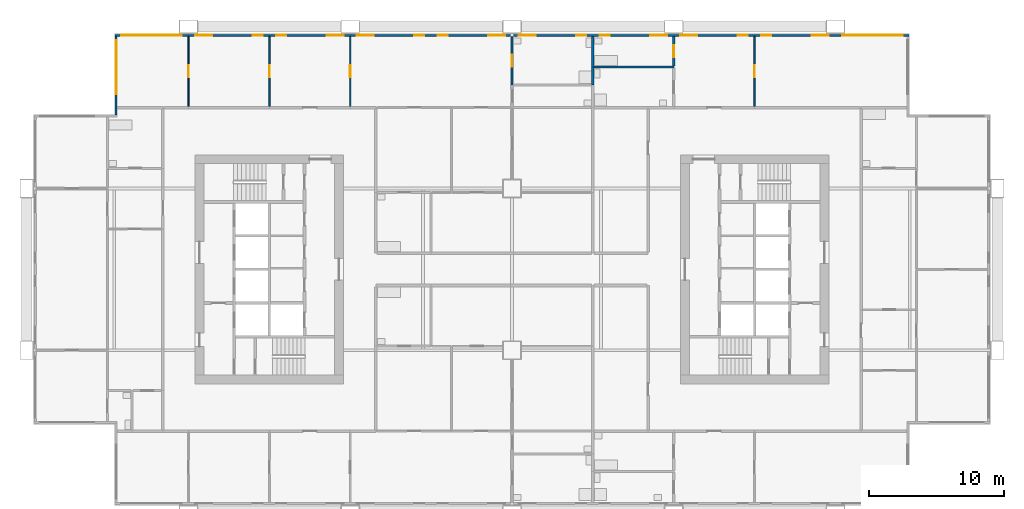
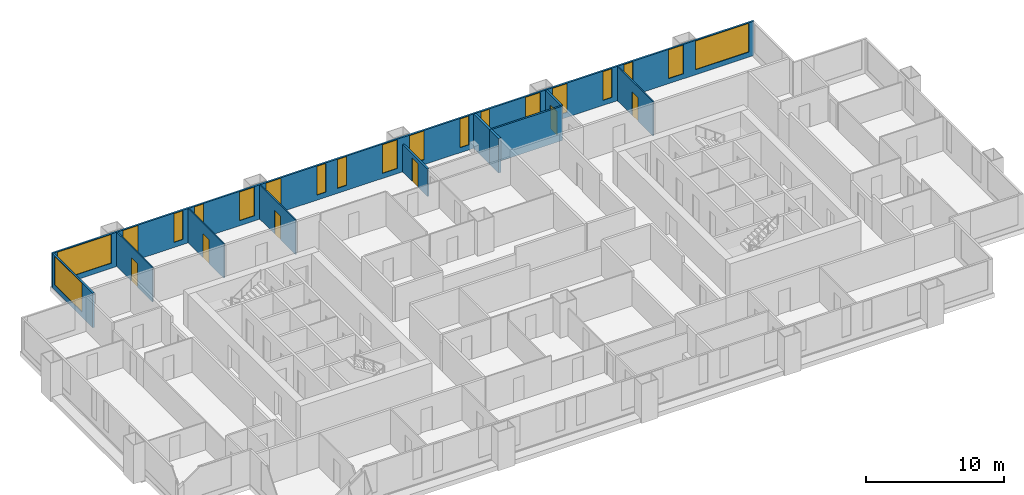
# One storey, part 8 of 11: 19 windows, 11 walls, 6 doors, 25 openings.
"""IFC4 building model written with IfcOpenShell, lengths in metres."""

from ifc_helpers import new_model, si_unit, direction, frame, frame_2d, origin, place, context, subcontext, project, spatial, rectangle, extrude, material, layer, layer_set, type_object, element, fill, save


model = new_model("IFC4")

# Units and contexts
model_context = context("Model", 3, precision=1e-05, world=origin(), true_north=direction((0.0, 1.0)))
body_context = subcontext(model_context, "Body", "Model", "MODEL_VIEW")
ifc_project = project(units=[si_unit("LENGTHUNIT", "METRE"), si_unit("AREAUNIT", "SQUARE_METRE"), si_unit("VOLUMEUNIT", "CUBIC_METRE"), si_unit("PLANEANGLEUNIT", "RADIAN"), si_unit("MASSUNIT", "GRAM", prefix="KILO")], contexts=[model_context])

# Site, building, storey
site_placement = place(None, origin())
site = spatial("IfcSite", under=ifc_project, at=site_placement, CompositionType="ELEMENT")
building_placement = place(site_placement, origin())
building = spatial("IfcBuilding", under=site, at=building_placement, Name="Kitamizu Gate Tower and Museum", CompositionType="ELEMENT")
storey_placement = place(building_placement, frame((0.0, 0.0, 124.199951171875)))
storey = spatial("IfcBuildingStorey", under=building, at=storey_placement, Name="L32", CompositionType="ELEMENT", Elevation=124.199951171875)

# Wall, opening, door
ifc_material_1 = material(Name="Gypsum board on galvanised stud")
ifc_layer_1 = layer(ifc_material_1, 0.10009765625)
ifc_layer_set_1 = layer_set([ifc_layer_1], Name="Gypsum board on galvanised stud")
wall_type_1 = type_object("IfcWallType", Name="Partition 100 NOT RATED", PredefinedType="PARTITIONING", material=ifc_layer_set_1)
wall_1_placement = place(storey_placement, frame((12.0, 42.10009765625, 0.0), z_axis=(0.0, 0.0, 1.0), x_axis=(0.0, 1.0, 0.0)))
wall_1 = element("IfcWall", 1, at=wall_1_placement, inside=storey, type_object=wall_type_1, Name="Partition L32-054", PredefinedType="PARTITIONING", context=body_context, shape_type="SweptSolid", body=[
    extrude(rectangle(XDim=5.179931640625, YDim=0.10009765625, at=frame_2d((2.58984375, 0.0))), origin(), (0.0, 0.0, 1.0), 3.050048828125),
])
opening_1_placement = place(wall_1_placement, frame((2.139892578125, 0.0, 0.0)))
opening_1 = element("IfcOpeningElement", 2, at=opening_1_placement, cuts=wall_1, Name="Opening L32-030", PredefinedType="OPENING", context=body_context, shape_type="SweptSolid", body=[
    extrude(rectangle(XDim=0.89990234375, YDim=2.10009765625, at=frame_2d((0.449951171875, 1.050048828125))), frame((0.0, 0.06005859375, 0.0), z_axis=(0.0, -1.0, 0.0), x_axis=(1.0, 0.0, 0.0)), (0.0, 0.0, 1.0), 0.1201171875),
])
ifc_material_2 = material(Name="Timber door set", Category="wood")
door_type_1 = type_object("IfcDoorType", Name="Room door 900", OperationType="NOTDEFINED", PredefinedType="DOOR", material=ifc_material_2)
door_1_placement = place(opening_1_placement, origin())
door_1 = element("IfcDoor", 3, at=door_1_placement, inside=storey, type_object=door_type_1, Name="Door L32-030", OperationType="SINGLE_SWING_LEFT", OverallHeight=2.10009765625, OverallWidth=0.89990234375, PredefinedType="DOOR", context=body_context, shape_type="SweptSolid", body=[
    extrude(rectangle(XDim=0.89990234375, YDim=2.10009765625, at=frame_2d((0.449951171875, 1.050048828125))), frame((0.0, 0.02490234375, 0.0), z_axis=(0.0, -1.0, 0.0), x_axis=(1.0, 0.0, 0.0)), (0.0, 0.0, 1.0), 0.050048828125),
])
fill(opening_1, door_1)

wall_2_placement = place(storey_placement, frame((18.0, 42.10009765625, 0.0), z_axis=(0.0, 0.0, 1.0), x_axis=(0.0, 1.0, 0.0)))
wall_2 = element("IfcWall", 4, at=wall_2_placement, inside=storey, type_object=wall_type_1, Name="Partition L32-056", PredefinedType="PARTITIONING", context=body_context, shape_type="SweptSolid", body=[
    extrude(rectangle(XDim=5.179931640625, YDim=0.10009765625, at=frame_2d((2.58984375, 0.0))), origin(), (0.0, 0.0, 1.0), 3.050048828125),
])
opening_2_placement = place(wall_2_placement, frame((2.139892578125, 0.0, 0.0)))
opening_2 = element("IfcOpeningElement", 5, at=opening_2_placement, cuts=wall_2, Name="Opening L32-025", PredefinedType="OPENING", context=body_context, shape_type="SweptSolid", body=[
    extrude(rectangle(XDim=0.89990234375, YDim=2.10009765625, at=frame_2d((0.449951171875, 1.050048828125))), frame((0.0, 0.06005859375, 0.0), z_axis=(0.0, -1.0, 0.0), x_axis=(1.0, 0.0, 0.0)), (0.0, 0.0, 1.0), 0.1201171875),
])
door_2_placement = place(opening_2_placement, origin())
door_2 = element("IfcDoor", 6, at=door_2_placement, inside=storey, type_object=door_type_1, Name="Door L32-025", OperationType="SINGLE_SWING_RIGHT", OverallHeight=2.10009765625, OverallWidth=0.89990234375, PredefinedType="DOOR", context=body_context, shape_type="SweptSolid", body=[
    extrude(rectangle(XDim=0.89990234375, YDim=2.10009765625, at=frame_2d((0.449951171875, 1.050048828125))), frame((0.0, 0.02490234375, 0.0), z_axis=(0.0, -1.0, 0.0), x_axis=(1.0, 0.0, 0.0)), (0.0, 0.0, 1.0), 0.050048828125),
])
fill(opening_2, door_2)

wall_3_placement = place(storey_placement, frame((24.0, 42.10009765625, 0.0), z_axis=(0.0, 0.0, 1.0), x_axis=(0.0, 1.0, 0.0)))
wall_3 = element("IfcWall", 7, at=wall_3_placement, inside=storey, type_object=wall_type_1, Name="Partition L32-058", PredefinedType="PARTITIONING", context=body_context, shape_type="SweptSolid", body=[
    extrude(rectangle(XDim=5.179931640625, YDim=0.10009765625, at=frame_2d((2.58984375, 0.0))), origin(), (0.0, 0.0, 1.0), 3.050048828125),
])
opening_3_placement = place(wall_3_placement, frame((2.139892578125, 0.0, 0.0)))
opening_3 = element("IfcOpeningElement", 8, at=opening_3_placement, cuts=wall_3, Name="Opening L32-021", PredefinedType="OPENING", context=body_context, shape_type="SweptSolid", body=[
    extrude(rectangle(XDim=0.89990234375, YDim=2.10009765625, at=frame_2d((0.449951171875, 1.050048828125))), frame((0.0, 0.06005859375, 0.0), z_axis=(0.0, -1.0, 0.0), x_axis=(1.0, 0.0, 0.0)), (0.0, 0.0, 1.0), 0.1201171875),
])
door_3_placement = place(opening_3_placement, frame((0.89990234375, 0.0, 0.0), x_axis=(-1.0, 0.0, 0.0)))
door_3 = element("IfcDoor", 9, at=door_3_placement, inside=storey, type_object=door_type_1, Name="Door L32-021", OperationType="SINGLE_SWING_LEFT", OverallHeight=2.10009765625, OverallWidth=0.89990234375, PredefinedType="DOOR", context=body_context, shape_type="SweptSolid", body=[
    extrude(rectangle(XDim=0.89990234375, YDim=2.10009765625, at=frame_2d((0.449951171875, 1.050048828125))), frame((0.0, 0.02490234375, 0.0), z_axis=(0.0, -1.0, 0.0), x_axis=(1.0, 0.0, 0.0)), (0.0, 0.0, 1.0), 0.050048828125),
])
fill(opening_3, door_3)

wall_4_placement = place(storey_placement, frame((54.0, 42.10009765625, 0.0), z_axis=(0.0, 0.0, 1.0), x_axis=(0.0, 1.0, 0.0)))
wall_4 = element("IfcWall", 10, at=wall_4_placement, inside=storey, type_object=wall_type_1, Name="Partition L32-122", PredefinedType="PARTITIONING", context=body_context, shape_type="SweptSolid", body=[
    extrude(rectangle(XDim=5.179931640625, YDim=0.10009765625, at=frame_2d((2.58984375, 0.0))), origin(), (0.0, 0.0, 1.0), 3.050048828125),
])
opening_4_placement = place(wall_4_placement, frame((2.139892578125, 0.0, 0.0)))
opening_4 = element("IfcOpeningElement", 11, at=opening_4_placement, cuts=wall_4, Name="Opening L32-043", PredefinedType="OPENING", context=body_context, shape_type="SweptSolid", body=[
    extrude(rectangle(XDim=0.89990234375, YDim=2.10009765625, at=frame_2d((0.449951171875, 1.050048828125))), frame((0.0, 0.06005859375, 0.0), z_axis=(0.0, -1.0, 0.0), x_axis=(1.0, 0.0, 0.0)), (0.0, 0.0, 1.0), 0.1201171875),
])
door_4_placement = place(opening_4_placement, frame((0.89990234375, 0.0, 0.0), x_axis=(-1.0, 0.0, 0.0)))
door_4 = element("IfcDoor", 12, at=door_4_placement, inside=storey, type_object=door_type_1, Name="Door L32-043", OperationType="SINGLE_SWING_LEFT", OverallHeight=2.10009765625, OverallWidth=0.89990234375, PredefinedType="DOOR", context=body_context, shape_type="SweptSolid", body=[
    extrude(rectangle(XDim=0.89990234375, YDim=2.10009765625, at=frame_2d((0.449951171875, 1.050048828125))), frame((0.0, 0.02490234375, 0.0), z_axis=(0.0, -1.0, 0.0), x_axis=(1.0, 0.0, 0.0)), (0.0, 0.0, 1.0), 0.050048828125),
])
fill(opening_4, door_4)

ifc_material_3 = material(Name="Gypsum board on galvanised stud")
ifc_layer_2 = layer(ifc_material_3, 0.14990234375)
ifc_layer_set_2 = layer_set([ifc_layer_2], Name="Gypsum board on galvanised stud")
wall_type_2 = type_object("IfcWallType", Name="Partition 150", PredefinedType="PARTITIONING", material=ifc_layer_set_2)
wall_5_placement = place(storey_placement, frame((36.0, 43.679931640625, 0.0), z_axis=(0.0, 0.0, 1.0), x_axis=(0.0, 1.0, 0.0)))
wall_5 = element("IfcWall", 13, at=wall_5_placement, inside=storey, type_object=wall_type_2, Name="Partition L32-060", PredefinedType="PARTITIONING", context=body_context, shape_type="SweptSolid", body=[
    extrude(rectangle(XDim=3.60009765625, YDim=0.14990234375, at=frame_2d((1.800048828125, 0.0))), origin(), (0.0, 0.0, 1.0), 2.449951171875),
])
opening_5_placement = place(wall_5_placement, frame((1.35009765625, 0.0, 0.0)))
opening_5 = element("IfcOpeningElement", 14, at=opening_5_placement, cuts=wall_5, Name="Opening L32-024", PredefinedType="OPENING", context=body_context, shape_type="SweptSolid", body=[
    extrude(rectangle(XDim=0.89990234375, YDim=2.10009765625, at=frame_2d((0.449951171875, 1.050048828125))), frame((0.0, 0.0849609375, 0.0), z_axis=(0.0, -1.0, 0.0), x_axis=(1.0, 0.0, 0.0)), (0.0, 0.0, 1.0), 0.169921875),
])
ifc_material_4 = material(Name="Timber door set", Category="wood")
door_type_2 = type_object("IfcDoorType", Name="Bathroom door 900", OperationType="NOTDEFINED", PredefinedType="DOOR", material=ifc_material_4)
door_5_placement = place(opening_5_placement, frame((0.89990234375, 0.0, 0.0), x_axis=(-1.0, 0.0, 0.0)))
door_5 = element("IfcDoor", 15, at=door_5_placement, inside=storey, type_object=door_type_2, Name="Bathroom door L32-024", OperationType="SINGLE_SWING_RIGHT", OverallHeight=2.10009765625, OverallWidth=0.89990234375, PredefinedType="DOOR", context=body_context, shape_type="SweptSolid", body=[
    extrude(rectangle(XDim=0.89990234375, YDim=2.10009765625, at=frame_2d((0.449951171875, 1.050048828125))), frame((0.0, 0.02490234375, 0.0), z_axis=(0.0, -1.0, 0.0), x_axis=(1.0, 0.0, 0.0)), (0.0, 0.0, 1.0), 0.050048828125),
])
fill(opening_5, door_5)

# Wall
wall_6_placement = place(storey_placement, frame((48.0, 45.0, 0.0), z_axis=(0.0, 0.0, 1.0), x_axis=(-1.0, 0.0, 0.0)))
element("IfcWall", 16, at=wall_6_placement, inside=storey, type_object=wall_type_2, Name="Partition L32-117", PredefinedType="PARTITIONING", context=body_context, shape_type="SweptSolid", body=[
    extrude(rectangle(XDim=5.89990234375, YDim=0.14990234375, at=frame_2d((2.949951171875, 0.0))), origin(), (0.0, 0.0, 1.0), 3.050048828125),
])

# Wall, opening, door
wall_7_placement = place(storey_placement, frame((48.0, 45.074951171875, 0.0), z_axis=(0.0, 0.0, 1.0), x_axis=(0.0, 1.0, 0.0)))
wall_7 = element("IfcWall", 17, at=wall_7_placement, inside=storey, type_object=wall_type_2, Name="Partition L32-121", PredefinedType="PARTITIONING", context=body_context, shape_type="SweptSolid", body=[
    extrude(rectangle(XDim=2.205078125, YDim=0.14990234375, at=frame_2d((1.1025390625, 0.0))), origin(), (0.0, 0.0, 1.0), 3.050048828125),
])
opening_6_placement = place(wall_7_placement, frame((0.652587890625, 0.0, 0.0)))
opening_6 = element("IfcOpeningElement", 18, at=opening_6_placement, cuts=wall_7, Name="Opening L32-045", PredefinedType="OPENING", context=body_context, shape_type="SweptSolid", body=[
    extrude(rectangle(XDim=0.89990234375, YDim=2.10009765625, at=frame_2d((0.449951171875, 1.050048828125))), frame((0.0, 0.0849609375, 0.0), z_axis=(0.0, -1.0, 0.0), x_axis=(1.0, 0.0, 0.0)), (0.0, 0.0, 1.0), 0.169921875),
])
door_6_placement = place(opening_6_placement, origin())
door_6 = element("IfcDoor", 19, at=door_6_placement, inside=storey, type_object=door_type_2, Name="Bathroom door L32-045", OperationType="SINGLE_SWING_RIGHT", OverallHeight=2.10009765625, OverallWidth=0.89990234375, PredefinedType="DOOR", context=body_context, shape_type="SweptSolid", body=[
    extrude(rectangle(XDim=0.89990234375, YDim=2.10009765625, at=frame_2d((0.449951171875, 1.050048828125))), frame((0.0, 0.02490234375, 0.0), z_axis=(0.0, -1.0, 0.0), x_axis=(1.0, 0.0, 0.0)), (0.0, 0.0, 1.0), 0.050048828125),
])
fill(opening_6, door_6)

# Walls
ifc_material_5 = material(Name="Gypsum board on galvanised stud")
ifc_layer_3 = layer(ifc_material_5, 0.199951171875)
ifc_layer_set_3 = layer_set([ifc_layer_3], Name="Gypsum board on galvanised stud")
wall_type_3 = type_object("IfcWallType", Name="Partition 200", PredefinedType="PARTITIONING", material=ifc_layer_set_3)
wall_8_placement = place(storey_placement, frame((42.0, 43.679931640625, 0.0), z_axis=(0.0, 0.0, 1.0), x_axis=(0.0, 1.0, 0.0)))
element("IfcWall", 20, at=wall_8_placement, inside=storey, type_object=wall_type_3, Name="Partition L32-066", PredefinedType="PARTITIONING", context=body_context, shape_type="SweptSolid", body=[
    extrude(rectangle(XDim=1.320068359375, YDim=0.199951171875, at=frame_2d((0.66015625, 0.0))), origin(), (0.0, 0.0, 1.0), 3.050048828125),
])
wall_9_placement = place(storey_placement, frame((42.0, 45.0, 0.0), z_axis=(0.0, 0.0, 1.0), x_axis=(0.0, 1.0, 0.0)))
element("IfcWall", 21, at=wall_9_placement, inside=storey, type_object=wall_type_3, Name="Partition L32-067", PredefinedType="PARTITIONING", context=body_context, shape_type="SweptSolid", body=[
    extrude(rectangle(XDim=2.280029296875, YDim=0.199951171875, at=frame_2d((1.14013671875, 0.0))), origin(), (0.0, 0.0, 1.0), 3.050048828125),
])

# Wall, openings, windows
ifc_material_6 = material(Name="Bronze anodised aluminium frame with insulated spandrel and tinted glass", Category="aluminium")
ifc_layer_4 = layer(ifc_material_6, 0.14990234375)
ifc_layer_set_4 = layer_set([ifc_layer_4], Name="Bronze anodised aluminium frame with insulated spandrel and tinted glass")
wall_type_4 = type_object("IfcWallType", Name="WINDOW WALL 150 BRONZE FRAME EI 30", PredefinedType="ELEMENTEDWALL", material=ifc_layer_set_4)
wall_10_placement = place(storey_placement, frame((6.56005859375, 47.364990234375, 0.0), z_axis=(0.0, 0.0, 1.0), x_axis=(1.0, 0.0, 0.0)))
wall_10 = element("IfcWall", 22, at=wall_10_placement, inside=storey, type_object=wall_type_4, Name="Window wall north L32", PredefinedType="ELEMENTEDWALL", context=body_context, shape_type="SweptSolid", body=[
    extrude(rectangle(XDim=58.8798828125, YDim=0.14990234375, at=frame_2d((29.43994140625, 0.0))), origin(), (0.0, 0.0, 1.0), 3.050048828125),
])
opening_7_placement = place(wall_10_placement, frame((0.43994140625, 0.0, 0.449951171875)))
opening_7 = element("IfcOpeningElement", 23, at=opening_7_placement, cuts=wall_10, Name="Opening W15", PredefinedType="OPENING", context=body_context, shape_type="SweptSolid", body=[
    extrude(rectangle(XDim=4.5, YDim=2.550048828125, at=frame_2d((2.25, 1.27490234375))), frame((0.0, 0.0849609375, 0.0), z_axis=(0.0, -1.0, 0.0), x_axis=(1.0, 0.0, 0.0)), (0.0, 0.0, 1.0), 0.169921875),
])
opening_8_placement = place(wall_10_placement, frame((5.93994140625, 0.0, 0.449951171875)))
opening_8 = element("IfcOpeningElement", 24, at=opening_8_placement, cuts=wall_10, Name="Opening W27", PredefinedType="OPENING", context=body_context, shape_type="SweptSolid", body=[
    extrude(rectangle(XDim=1.25, YDim=2.550048828125, at=frame_2d((0.625, 1.27490234375))), frame((0.0, 0.0849609375, 0.0), z_axis=(0.0, -1.0, 0.0), x_axis=(1.0, 0.0, 0.0)), (0.0, 0.0, 1.0), 0.169921875),
])
opening_9_placement = place(wall_10_placement, frame((10.18994140625, 0.0, 0.449951171875)))
opening_9 = element("IfcOpeningElement", 25, at=opening_9_placement, cuts=wall_10, Name="Opening W25", PredefinedType="OPENING", context=body_context, shape_type="SweptSolid", body=[
    extrude(rectangle(XDim=0.75, YDim=2.550048828125, at=frame_2d((0.375, 1.27490234375))), frame((0.0, 0.0849609375, 0.0), z_axis=(0.0, -1.0, 0.0), x_axis=(1.0, 0.0, 0.0)), (0.0, 0.0, 1.0), 0.169921875),
])
opening_10_placement = place(wall_10_placement, frame((11.93994140625, 0.0, 0.449951171875)))
opening_10 = element("IfcOpeningElement", 26, at=opening_10_placement, cuts=wall_10, Name="Opening W25", PredefinedType="OPENING", context=body_context, shape_type="SweptSolid", body=[
    extrude(rectangle(XDim=0.75, YDim=2.550048828125, at=frame_2d((0.375, 1.27490234375))), frame((0.0, 0.0849609375, 0.0), z_axis=(0.0, -1.0, 0.0), x_axis=(1.0, 0.0, 0.0)), (0.0, 0.0, 1.0), 0.169921875),
])
opening_11_placement = place(wall_10_placement, frame((15.68994140625, 0.0, 0.449951171875)))
opening_11 = element("IfcOpeningElement", 27, at=opening_11_placement, cuts=wall_10, Name="Opening W27", PredefinedType="OPENING", context=body_context, shape_type="SweptSolid", body=[
    extrude(rectangle(XDim=1.25, YDim=2.550048828125, at=frame_2d((0.625, 1.27490234375))), frame((0.0, 0.0849609375, 0.0), z_axis=(0.0, -1.0, 0.0), x_axis=(1.0, 0.0, 0.0)), (0.0, 0.0, 1.0), 0.169921875),
])
opening_12_placement = place(wall_10_placement, frame((17.93994140625, 0.0, 0.449951171875)))
opening_12 = element("IfcOpeningElement", 28, at=opening_12_placement, cuts=wall_10, Name="Opening W27", PredefinedType="OPENING", context=body_context, shape_type="SweptSolid", body=[
    extrude(rectangle(XDim=1.25, YDim=2.550048828125, at=frame_2d((0.625, 1.27490234375))), frame((0.0, 0.0849609375, 0.0), z_axis=(0.0, -1.0, 0.0), x_axis=(1.0, 0.0, 0.0)), (0.0, 0.0, 1.0), 0.169921875),
])
opening_13_placement = place(wall_10_placement, frame((22.18994140625, 0.0, 0.449951171875)))
opening_13 = element("IfcOpeningElement", 29, at=opening_13_placement, cuts=wall_10, Name="Opening W25", PredefinedType="OPENING", context=body_context, shape_type="SweptSolid", body=[
    extrude(rectangle(XDim=0.75, YDim=2.550048828125, at=frame_2d((0.375, 1.27490234375))), frame((0.0, 0.0849609375, 0.0), z_axis=(0.0, -1.0, 0.0), x_axis=(1.0, 0.0, 0.0)), (0.0, 0.0, 1.0), 0.169921875),
])
opening_14_placement = place(wall_10_placement, frame((23.93994140625, 0.0, 0.449951171875)))
opening_14 = element("IfcOpeningElement", 30, at=opening_14_placement, cuts=wall_10, Name="Opening W25", PredefinedType="OPENING", context=body_context, shape_type="SweptSolid", body=[
    extrude(rectangle(XDim=0.75, YDim=2.550048828125, at=frame_2d((0.375, 1.27490234375))), frame((0.0, 0.0849609375, 0.0), z_axis=(0.0, -1.0, 0.0), x_axis=(1.0, 0.0, 0.0)), (0.0, 0.0, 1.0), 0.169921875),
])
opening_15_placement = place(wall_10_placement, frame((27.68994140625, 0.0, 0.449951171875)))
opening_15 = element("IfcOpeningElement", 31, at=opening_15_placement, cuts=wall_10, Name="Opening W27", PredefinedType="OPENING", context=body_context, shape_type="SweptSolid", body=[
    extrude(rectangle(XDim=1.25, YDim=2.550048828125, at=frame_2d((0.625, 1.27490234375))), frame((0.0, 0.0849609375, 0.0), z_axis=(0.0, -1.0, 0.0), x_axis=(1.0, 0.0, 0.0)), (0.0, 0.0, 1.0), 0.169921875),
])
opening_16_placement = place(wall_10_placement, frame((29.93994140625, 0.0, 0.449951171875)))
opening_16 = element("IfcOpeningElement", 32, at=opening_16_placement, cuts=wall_10, Name="Opening W27", PredefinedType="OPENING", context=body_context, shape_type="SweptSolid", body=[
    extrude(rectangle(XDim=1.25, YDim=2.550048828125, at=frame_2d((0.625, 1.27490234375))), frame((0.0, 0.0849609375, 0.0), z_axis=(0.0, -1.0, 0.0), x_axis=(1.0, 0.0, 0.0)), (0.0, 0.0, 1.0), 0.169921875),
])
opening_17_placement = place(wall_10_placement, frame((34.18994140625, 0.0, 0.449951171875)))
opening_17 = element("IfcOpeningElement", 33, at=opening_17_placement, cuts=wall_10, Name="Opening W25", PredefinedType="OPENING", context=body_context, shape_type="SweptSolid", body=[
    extrude(rectangle(XDim=0.75, YDim=2.550048828125, at=frame_2d((0.375, 1.27490234375))), frame((0.0, 0.0849609375, 0.0), z_axis=(0.0, -1.0, 0.0), x_axis=(1.0, 0.0, 0.0)), (0.0, 0.0, 1.0), 0.169921875),
])
opening_18_placement = place(wall_10_placement, frame((35.93994140625, 0.0, 0.449951171875)))
opening_18 = element("IfcOpeningElement", 34, at=opening_18_placement, cuts=wall_10, Name="Opening W25", PredefinedType="OPENING", context=body_context, shape_type="SweptSolid", body=[
    extrude(rectangle(XDim=0.75, YDim=2.550048828125, at=frame_2d((0.375, 1.27490234375))), frame((0.0, 0.0849609375, 0.0), z_axis=(0.0, -1.0, 0.0), x_axis=(1.0, 0.0, 0.0)), (0.0, 0.0, 1.0), 0.169921875),
])
opening_19_placement = place(wall_10_placement, frame((39.68994140625, 0.0, 0.449951171875)))
opening_19 = element("IfcOpeningElement", 35, at=opening_19_placement, cuts=wall_10, Name="Opening W27", PredefinedType="OPENING", context=body_context, shape_type="SweptSolid", body=[
    extrude(rectangle(XDim=1.25, YDim=2.550048828125, at=frame_2d((0.625, 1.27490234375))), frame((0.0, 0.0849609375, 0.0), z_axis=(0.0, -1.0, 0.0), x_axis=(1.0, 0.0, 0.0)), (0.0, 0.0, 1.0), 0.169921875),
])
opening_20_placement = place(wall_10_placement, frame((41.93994140625, 0.0, 0.449951171875)))
opening_20 = element("IfcOpeningElement", 36, at=opening_20_placement, cuts=wall_10, Name="Opening W27", PredefinedType="OPENING", context=body_context, shape_type="SweptSolid", body=[
    extrude(rectangle(XDim=1.25, YDim=2.550048828125, at=frame_2d((0.625, 1.27490234375))), frame((0.0, 0.0849609375, 0.0), z_axis=(0.0, -1.0, 0.0), x_axis=(1.0, 0.0, 0.0)), (0.0, 0.0, 1.0), 0.169921875),
])
opening_21_placement = place(wall_10_placement, frame((46.18994140625, 0.0, 0.449951171875)))
opening_21 = element("IfcOpeningElement", 37, at=opening_21_placement, cuts=wall_10, Name="Opening W25", PredefinedType="OPENING", context=body_context, shape_type="SweptSolid", body=[
    extrude(rectangle(XDim=0.75, YDim=2.550048828125, at=frame_2d((0.375, 1.27490234375))), frame((0.0, 0.0849609375, 0.0), z_axis=(0.0, -1.0, 0.0), x_axis=(1.0, 0.0, 0.0)), (0.0, 0.0, 1.0), 0.169921875),
])
opening_22_placement = place(wall_10_placement, frame((47.93994140625, 0.0, 0.449951171875)))
opening_22 = element("IfcOpeningElement", 38, at=opening_22_placement, cuts=wall_10, Name="Opening W25", PredefinedType="OPENING", context=body_context, shape_type="SweptSolid", body=[
    extrude(rectangle(XDim=0.75, YDim=2.550048828125, at=frame_2d((0.375, 1.27490234375))), frame((0.0, 0.0849609375, 0.0), z_axis=(0.0, -1.0, 0.0), x_axis=(1.0, 0.0, 0.0)), (0.0, 0.0, 1.0), 0.169921875),
])
opening_23_placement = place(wall_10_placement, frame((51.68994140625, 0.0, 0.449951171875)))
opening_23 = element("IfcOpeningElement", 39, at=opening_23_placement, cuts=wall_10, Name="Opening W27", PredefinedType="OPENING", context=body_context, shape_type="SweptSolid", body=[
    extrude(rectangle(XDim=1.25, YDim=2.550048828125, at=frame_2d((0.625, 1.27490234375))), frame((0.0, 0.0849609375, 0.0), z_axis=(0.0, -1.0, 0.0), x_axis=(1.0, 0.0, 0.0)), (0.0, 0.0, 1.0), 0.169921875),
])
opening_24_placement = place(wall_10_placement, frame((53.93994140625, 0.0, 0.449951171875)))
opening_24 = element("IfcOpeningElement", 40, at=opening_24_placement, cuts=wall_10, Name="Opening W15", PredefinedType="OPENING", context=body_context, shape_type="SweptSolid", body=[
    extrude(rectangle(XDim=4.5, YDim=2.550048828125, at=frame_2d((2.25, 1.27490234375))), frame((0.0, 0.0849609375, 0.0), z_axis=(0.0, -1.0, 0.0), x_axis=(1.0, 0.0, 0.0)), (0.0, 0.0, 1.0), 0.169921875),
])
ifc_material_7 = material(Name="Bronze anodised aluminium frame, tinted triple glazing", Category="aluminium")
window_type_1 = type_object("IfcWindowType", Name="WINDOW 1250 x 2550 SILL 450", PartitioningType="SINGLE_PANEL", PredefinedType="WINDOW", material=ifc_material_7)
window_1_placement = place(opening_8_placement, origin())
window_1 = element("IfcWindow", 41, at=window_1_placement, inside=storey, type_object=window_type_1, Name="Window W27 L32", OverallHeight=2.550048828125, OverallWidth=1.25, PartitioningType="SINGLE_PANEL", PredefinedType="WINDOW", context=body_context, shape_type="SweptSolid", body=[
    extrude(rectangle(XDim=1.25, YDim=2.550048828125, at=frame_2d((0.625, 1.27490234375))), frame((0.0, 0.030029296875, 0.0), z_axis=(0.0, -1.0, 0.0), x_axis=(1.0, 0.0, 0.0)), (0.0, 0.0, 1.0), 0.06005859375),
])
fill(opening_8, window_1)
window_2_placement = place(opening_11_placement, origin())
window_2 = element("IfcWindow", 42, at=window_2_placement, inside=storey, type_object=window_type_1, Name="Window W27 L32", OverallHeight=2.550048828125, OverallWidth=1.25, PartitioningType="SINGLE_PANEL", PredefinedType="WINDOW", context=body_context, shape_type="SweptSolid", body=[
    extrude(rectangle(XDim=1.25, YDim=2.550048828125, at=frame_2d((0.625, 1.27490234375))), frame((0.0, 0.030029296875, 0.0), z_axis=(0.0, -1.0, 0.0), x_axis=(1.0, 0.0, 0.0)), (0.0, 0.0, 1.0), 0.06005859375),
])
fill(opening_11, window_2)
window_3_placement = place(opening_12_placement, origin())
window_3 = element("IfcWindow", 43, at=window_3_placement, inside=storey, type_object=window_type_1, Name="Window W27 L32", OverallHeight=2.550048828125, OverallWidth=1.25, PartitioningType="SINGLE_PANEL", PredefinedType="WINDOW", context=body_context, shape_type="SweptSolid", body=[
    extrude(rectangle(XDim=1.25, YDim=2.550048828125, at=frame_2d((0.625, 1.27490234375))), frame((0.0, 0.030029296875, 0.0), z_axis=(0.0, -1.0, 0.0), x_axis=(1.0, 0.0, 0.0)), (0.0, 0.0, 1.0), 0.06005859375),
])
fill(opening_12, window_3)
window_4_placement = place(opening_15_placement, origin())
window_4 = element("IfcWindow", 44, at=window_4_placement, inside=storey, type_object=window_type_1, Name="Window W27 L32", OverallHeight=2.550048828125, OverallWidth=1.25, PartitioningType="SINGLE_PANEL", PredefinedType="WINDOW", context=body_context, shape_type="SweptSolid", body=[
    extrude(rectangle(XDim=1.25, YDim=2.550048828125, at=frame_2d((0.625, 1.27490234375))), frame((0.0, 0.030029296875, 0.0), z_axis=(0.0, -1.0, 0.0), x_axis=(1.0, 0.0, 0.0)), (0.0, 0.0, 1.0), 0.06005859375),
])
fill(opening_15, window_4)
window_5_placement = place(opening_16_placement, origin())
window_5 = element("IfcWindow", 45, at=window_5_placement, inside=storey, type_object=window_type_1, Name="Window W27 L32", OverallHeight=2.550048828125, OverallWidth=1.25, PartitioningType="SINGLE_PANEL", PredefinedType="WINDOW", context=body_context, shape_type="SweptSolid", body=[
    extrude(rectangle(XDim=1.25, YDim=2.550048828125, at=frame_2d((0.625, 1.27490234375))), frame((0.0, 0.030029296875, 0.0), z_axis=(0.0, -1.0, 0.0), x_axis=(1.0, 0.0, 0.0)), (0.0, 0.0, 1.0), 0.06005859375),
])
fill(opening_16, window_5)
window_6_placement = place(opening_19_placement, origin())
window_6 = element("IfcWindow", 46, at=window_6_placement, inside=storey, type_object=window_type_1, Name="Window W27 L32", OverallHeight=2.550048828125, OverallWidth=1.25, PartitioningType="SINGLE_PANEL", PredefinedType="WINDOW", context=body_context, shape_type="SweptSolid", body=[
    extrude(rectangle(XDim=1.25, YDim=2.550048828125, at=frame_2d((0.625, 1.27490234375))), frame((0.0, 0.030029296875, 0.0), z_axis=(0.0, -1.0, 0.0), x_axis=(1.0, 0.0, 0.0)), (0.0, 0.0, 1.0), 0.06005859375),
])
fill(opening_19, window_6)
window_7_placement = place(opening_20_placement, origin())
window_7 = element("IfcWindow", 47, at=window_7_placement, inside=storey, type_object=window_type_1, Name="Window W27 L32", OverallHeight=2.550048828125, OverallWidth=1.25, PartitioningType="SINGLE_PANEL", PredefinedType="WINDOW", context=body_context, shape_type="SweptSolid", body=[
    extrude(rectangle(XDim=1.25, YDim=2.550048828125, at=frame_2d((0.625, 1.27490234375))), frame((0.0, 0.030029296875, 0.0), z_axis=(0.0, -1.0, 0.0), x_axis=(1.0, 0.0, 0.0)), (0.0, 0.0, 1.0), 0.06005859375),
])
fill(opening_20, window_7)
window_8_placement = place(opening_23_placement, origin())
window_8 = element("IfcWindow", 48, at=window_8_placement, inside=storey, type_object=window_type_1, Name="Window W27 L32", OverallHeight=2.550048828125, OverallWidth=1.25, PartitioningType="SINGLE_PANEL", PredefinedType="WINDOW", context=body_context, shape_type="SweptSolid", body=[
    extrude(rectangle(XDim=1.25, YDim=2.550048828125, at=frame_2d((0.625, 1.27490234375))), frame((0.0, 0.030029296875, 0.0), z_axis=(0.0, -1.0, 0.0), x_axis=(1.0, 0.0, 0.0)), (0.0, 0.0, 1.0), 0.06005859375),
])
fill(opening_23, window_8)
ifc_material_8 = material(Name="Bronze anodised aluminium frame, tinted triple glazing", Category="aluminium")
window_type_2 = type_object("IfcWindowType", Name="WINDOW 4500 x 2550 SILL 450", PartitioningType="SINGLE_PANEL", PredefinedType="WINDOW", material=ifc_material_8)
window_9_placement = place(opening_7_placement, origin())
window_9 = element("IfcWindow", 49, at=window_9_placement, inside=storey, type_object=window_type_2, Name="Window W15 L32", OverallHeight=2.550048828125, OverallWidth=4.5, PartitioningType="SINGLE_PANEL", PredefinedType="WINDOW", context=body_context, shape_type="SweptSolid", body=[
    extrude(rectangle(XDim=4.5, YDim=2.550048828125, at=frame_2d((2.25, 1.27490234375))), frame((0.0, 0.030029296875, 0.0), z_axis=(0.0, -1.0, 0.0), x_axis=(1.0, 0.0, 0.0)), (0.0, 0.0, 1.0), 0.06005859375),
])
fill(opening_7, window_9)
window_10_placement = place(opening_24_placement, origin())
window_10 = element("IfcWindow", 50, at=window_10_placement, inside=storey, type_object=window_type_2, Name="Window W15 L32", OverallHeight=2.550048828125, OverallWidth=4.5, PartitioningType="SINGLE_PANEL", PredefinedType="WINDOW", context=body_context, shape_type="SweptSolid", body=[
    extrude(rectangle(XDim=4.5, YDim=2.550048828125, at=frame_2d((2.25, 1.27490234375))), frame((0.0, 0.030029296875, 0.0), z_axis=(0.0, -1.0, 0.0), x_axis=(1.0, 0.0, 0.0)), (0.0, 0.0, 1.0), 0.06005859375),
])
fill(opening_24, window_10)
ifc_material_9 = material(Name="Bronze anodised aluminium frame, tinted triple glazing", Category="aluminium")
window_type_3 = type_object("IfcWindowType", Name="WINDOW 750 x 2550 SILL 450", PartitioningType="SINGLE_PANEL", PredefinedType="WINDOW", material=ifc_material_9)
window_11_placement = place(opening_9_placement, origin())
window_11 = element("IfcWindow", 51, at=window_11_placement, inside=storey, type_object=window_type_3, Name="Window W25 L32", OverallHeight=2.550048828125, OverallWidth=0.75, PartitioningType="SINGLE_PANEL", PredefinedType="WINDOW", context=body_context, shape_type="SweptSolid", body=[
    extrude(rectangle(XDim=0.75, YDim=2.550048828125, at=frame_2d((0.375, 1.27490234375))), frame((0.0, 0.030029296875, 0.0), z_axis=(0.0, -1.0, 0.0), x_axis=(1.0, 0.0, 0.0)), (0.0, 0.0, 1.0), 0.06005859375),
])
fill(opening_9, window_11)
window_12_placement = place(opening_10_placement, origin())
window_12 = element("IfcWindow", 52, at=window_12_placement, inside=storey, type_object=window_type_3, Name="Window W25 L32", OverallHeight=2.550048828125, OverallWidth=0.75, PartitioningType="SINGLE_PANEL", PredefinedType="WINDOW", context=body_context, shape_type="SweptSolid", body=[
    extrude(rectangle(XDim=0.75, YDim=2.550048828125, at=frame_2d((0.375, 1.27490234375))), frame((0.0, 0.030029296875, 0.0), z_axis=(0.0, -1.0, 0.0), x_axis=(1.0, 0.0, 0.0)), (0.0, 0.0, 1.0), 0.06005859375),
])
fill(opening_10, window_12)
window_13_placement = place(opening_13_placement, origin())
window_13 = element("IfcWindow", 53, at=window_13_placement, inside=storey, type_object=window_type_3, Name="Window W25 L32", OverallHeight=2.550048828125, OverallWidth=0.75, PartitioningType="SINGLE_PANEL", PredefinedType="WINDOW", context=body_context, shape_type="SweptSolid", body=[
    extrude(rectangle(XDim=0.75, YDim=2.550048828125, at=frame_2d((0.375, 1.27490234375))), frame((0.0, 0.030029296875, 0.0), z_axis=(0.0, -1.0, 0.0), x_axis=(1.0, 0.0, 0.0)), (0.0, 0.0, 1.0), 0.06005859375),
])
fill(opening_13, window_13)
window_14_placement = place(opening_14_placement, origin())
window_14 = element("IfcWindow", 54, at=window_14_placement, inside=storey, type_object=window_type_3, Name="Window W25 L32", OverallHeight=2.550048828125, OverallWidth=0.75, PartitioningType="SINGLE_PANEL", PredefinedType="WINDOW", context=body_context, shape_type="SweptSolid", body=[
    extrude(rectangle(XDim=0.75, YDim=2.550048828125, at=frame_2d((0.375, 1.27490234375))), frame((0.0, 0.030029296875, 0.0), z_axis=(0.0, -1.0, 0.0), x_axis=(1.0, 0.0, 0.0)), (0.0, 0.0, 1.0), 0.06005859375),
])
fill(opening_14, window_14)
window_15_placement = place(opening_17_placement, origin())
window_15 = element("IfcWindow", 55, at=window_15_placement, inside=storey, type_object=window_type_3, Name="Window W25 L32", OverallHeight=2.550048828125, OverallWidth=0.75, PartitioningType="SINGLE_PANEL", PredefinedType="WINDOW", context=body_context, shape_type="SweptSolid", body=[
    extrude(rectangle(XDim=0.75, YDim=2.550048828125, at=frame_2d((0.375, 1.27490234375))), frame((0.0, 0.030029296875, 0.0), z_axis=(0.0, -1.0, 0.0), x_axis=(1.0, 0.0, 0.0)), (0.0, 0.0, 1.0), 0.06005859375),
])
fill(opening_17, window_15)
window_16_placement = place(opening_18_placement, origin())
window_16 = element("IfcWindow", 56, at=window_16_placement, inside=storey, type_object=window_type_3, Name="Window W25 L32", OverallHeight=2.550048828125, OverallWidth=0.75, PartitioningType="SINGLE_PANEL", PredefinedType="WINDOW", context=body_context, shape_type="SweptSolid", body=[
    extrude(rectangle(XDim=0.75, YDim=2.550048828125, at=frame_2d((0.375, 1.27490234375))), frame((0.0, 0.030029296875, 0.0), z_axis=(0.0, -1.0, 0.0), x_axis=(1.0, 0.0, 0.0)), (0.0, 0.0, 1.0), 0.06005859375),
])
fill(opening_18, window_16)
window_17_placement = place(opening_21_placement, origin())
window_17 = element("IfcWindow", 57, at=window_17_placement, inside=storey, type_object=window_type_3, Name="Window W25 L32", OverallHeight=2.550048828125, OverallWidth=0.75, PartitioningType="SINGLE_PANEL", PredefinedType="WINDOW", context=body_context, shape_type="SweptSolid", body=[
    extrude(rectangle(XDim=0.75, YDim=2.550048828125, at=frame_2d((0.375, 1.27490234375))), frame((0.0, 0.030029296875, 0.0), z_axis=(0.0, -1.0, 0.0), x_axis=(1.0, 0.0, 0.0)), (0.0, 0.0, 1.0), 0.06005859375),
])
fill(opening_21, window_17)
window_18_placement = place(opening_22_placement, origin())
window_18 = element("IfcWindow", 58, at=window_18_placement, inside=storey, type_object=window_type_3, Name="Window W25 L32", OverallHeight=2.550048828125, OverallWidth=0.75, PartitioningType="SINGLE_PANEL", PredefinedType="WINDOW", context=body_context, shape_type="SweptSolid", body=[
    extrude(rectangle(XDim=0.75, YDim=2.550048828125, at=frame_2d((0.375, 1.27490234375))), frame((0.0, 0.030029296875, 0.0), z_axis=(0.0, -1.0, 0.0), x_axis=(1.0, 0.0, 0.0)), (0.0, 0.0, 1.0), 0.06005859375),
])
fill(opening_22, window_18)

# Wall, opening, window
wall_11_placement = place(storey_placement, frame((6.635009765625, 41.43994140625, 0.0), z_axis=(0.0, 0.0, 1.0), x_axis=(0.0, 1.0, 0.0)))
wall_11 = element("IfcWall", 59, at=wall_11_placement, inside=storey, type_object=wall_type_4, Name="Window wall west L32", PredefinedType="ELEMENTEDWALL", context=body_context, shape_type="SweptSolid", body=[
    extrude(rectangle(XDim=5.85009765625, YDim=0.14990234375, at=frame_2d((2.925048828125, 0.0))), origin(), (0.0, 0.0, 1.0), 3.050048828125),
])
opening_25_placement = place(wall_11_placement, frame((1.56005859375, 0.0, 0.449951171875)))
opening_25 = element("IfcOpeningElement", 60, at=opening_25_placement, cuts=wall_11, Name="Opening W16", PredefinedType="OPENING", context=body_context, shape_type="SweptSolid", body=[
    extrude(rectangle(XDim=4.0, YDim=2.550048828125, at=frame_2d((2.0, 1.27490234375))), frame((0.0, 0.0849609375, 0.0), z_axis=(0.0, -1.0, 0.0), x_axis=(1.0, 0.0, 0.0)), (0.0, 0.0, 1.0), 0.169921875),
])
ifc_material_10 = material(Name="Bronze anodised aluminium frame, tinted triple glazing", Category="aluminium")
window_type_4 = type_object("IfcWindowType", Name="WINDOW 4000 x 2550 SILL 450", PartitioningType="SINGLE_PANEL", PredefinedType="WINDOW", material=ifc_material_10)
window_19_placement = place(opening_25_placement, origin())
window_19 = element("IfcWindow", 61, at=window_19_placement, inside=storey, type_object=window_type_4, Name="Window W16 L32", OverallHeight=2.550048828125, OverallWidth=4.0, PartitioningType="SINGLE_PANEL", PredefinedType="WINDOW", context=body_context, shape_type="SweptSolid", body=[
    extrude(rectangle(XDim=4.0, YDim=2.550048828125, at=frame_2d((2.0, 1.27490234375))), frame((0.0, 0.030029296875, 0.0), z_axis=(0.0, -1.0, 0.0), x_axis=(1.0, 0.0, 0.0)), (0.0, 0.0, 1.0), 0.06005859375),
])
fill(opening_25, window_19)

save(model, "model.ifc")
